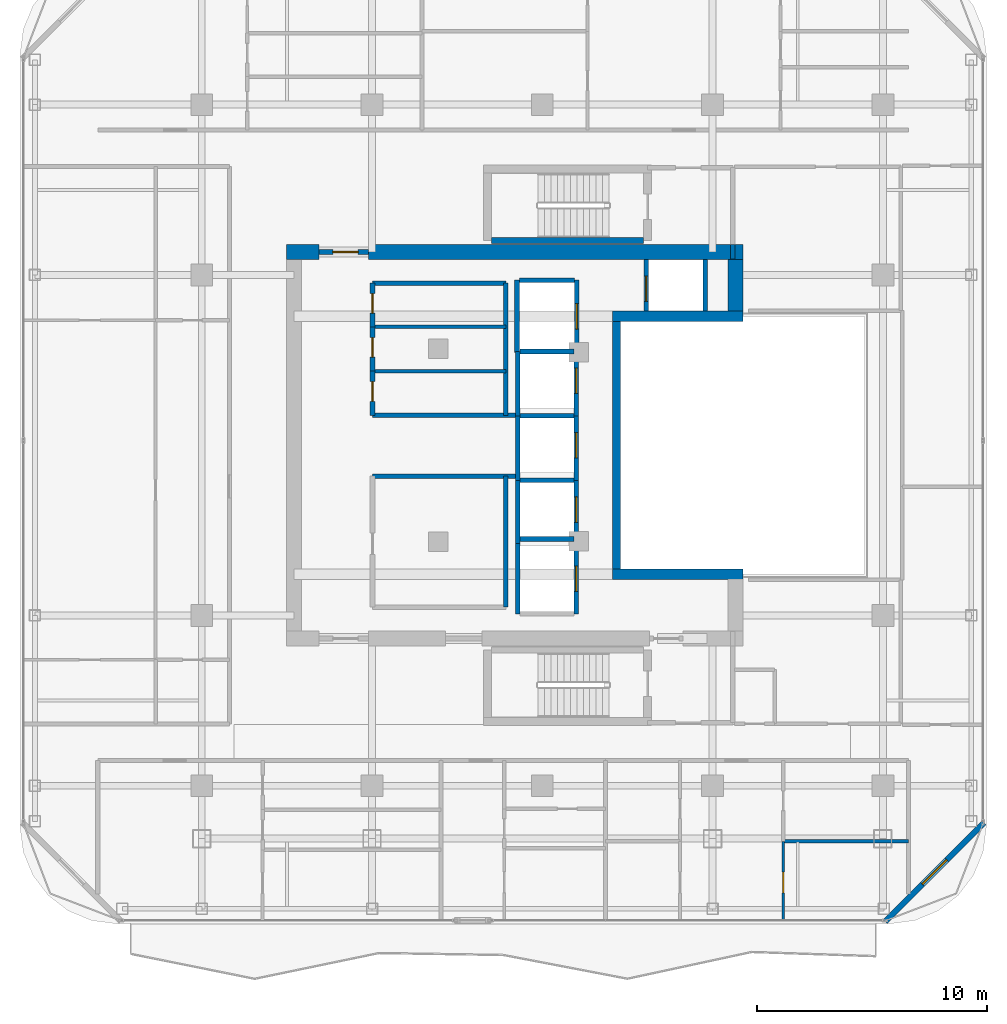
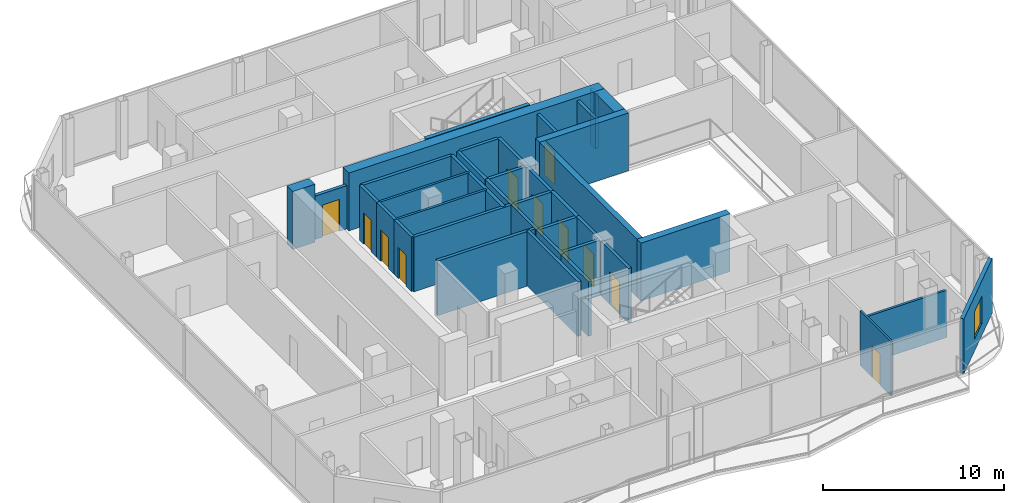
# One storey, part 17 of 22: 39 walls, 11 doors, 1 window, 12 openings.
"""IFC4 building model written with IfcOpenShell, lengths in metres."""

import ifcopenshell
import ifcopenshell.guid

model = None  # the IFC model being written
_history = None  # IfcOwnerHistory: only IFC2X3 demands one
_inside = {}  # id of a spatial element -> (the spatial element, [elements in it])
_under = {}  # id of a project, library or spatial element -> (it, [spatial elements below it])
_declared = {}  # id of a project -> (the project, [libraries it declares])
_typed = {}  # id of a type object -> (the type object, [elements of that type])
_made_of = {}  # id of a material, layer set ... -> (it, [elements and type objects made of it])


def new_model(schema):
    """Start an empty IFC model of exactly this schema.

    Asked for "IFC4X3", IfcOpenShell would pick the latest addendum, in which some entities
    have other attributes; the version numbers below select the first issue.
    IFC2X3 requires an IfcOwnerHistory on every rooted entity: one is made here for all.
    """
    global model, _history
    if schema == "IFC4X3":
        model = ifcopenshell.file(schema_version=(4, 3, 0, 0))
    else:
        model = ifcopenshell.file(schema=schema)
    _inside.clear()
    _under.clear()
    _declared.clear()
    _typed.clear()
    _made_of.clear()
    _history = None
    if model.schema == "IFC2X3":
        org = make("IfcOrganization", Name="unknown")
        user = make(
            "IfcPersonAndOrganization",
            ThePerson=make("IfcPerson", FamilyName="unknown"),
            TheOrganization=org,
        )
        app = make(
            "IfcApplication",
            ApplicationDeveloper=org,
            Version="unknown",
            ApplicationFullName="unknown",
            ApplicationIdentifier="unknown",
        )
        _history = make(
            "IfcOwnerHistory",
            OwningUser=user,
            OwningApplication=app,
            ChangeAction="ADDED",
            CreationDate=0,
        )
    return model


def make(cls, **values):
    """One entity of the class cls with the attributes given. An attribute that is None is left unset."""
    return model.create_entity(
        cls, **{name: value for name, value in values.items() if value is not None}
    )


def rooted(cls, **values):
    """An entity with a GlobalId (a new one), such as an element, a storey or a relation."""
    return make(cls, GlobalId=ifcopenshell.guid.new(), OwnerHistory=_history, **values)


def si_unit(unit_type, name, prefix=None):
    """IfcSIUnit, for example si_unit("LENGTHUNIT", "METRE", prefix="MILLI")."""
    return make("IfcSIUnit", UnitType=unit_type, Prefix=prefix, Name=name)


def assignment(units):
    """IfcUnitAssignment: the units of a project."""
    return None if units is None else make("IfcUnitAssignment", Units=units)


def point(xyz):
    """IfcCartesianPoint."""
    return None if xyz is None else make("IfcCartesianPoint", Coordinates=xyz)


def direction(xyz):
    """IfcDirection."""
    return None if xyz is None else make("IfcDirection", DirectionRatios=xyz)


def frame(location, z_axis=None, x_axis=None):
    """IfcAxis2Placement3D, a coordinate frame: its origin and axes. An axis left out is left unset."""
    return make(
        "IfcAxis2Placement3D",
        Location=point(location),
        Axis=direction(z_axis),
        RefDirection=direction(x_axis),
    )


def frame_2d(location, x_axis=None):
    """IfcAxis2Placement2D, a coordinate frame in the plane: its origin and x axis."""
    return make(
        "IfcAxis2Placement2D", Location=point(location), RefDirection=direction(x_axis)
    )


def origin():
    """The frame at (0, 0, 0) with its axes left unset."""
    return frame((0.0, 0.0, 0.0))


def place(relative_to, where):
    """IfcLocalPlacement: puts the frame where relative to a parent placement (None: the world)."""
    return make(
        "IfcLocalPlacement", PlacementRelTo=relative_to, RelativePlacement=where
    )


def context(
    kind, dimensions, precision=None, world=None, true_north=None, identifier=None
):
    """IfcGeometricRepresentationContext, for example the 3D "Model" context."""
    return make(
        "IfcGeometricRepresentationContext",
        ContextIdentifier=identifier,
        ContextType=kind,
        CoordinateSpaceDimension=dimensions,
        Precision=precision,
        WorldCoordinateSystem=world,
        TrueNorth=true_north,
    )


def subcontext(parent, identifier, kind, view, scale=None):
    """IfcGeometricRepresentationSubContext, for example "Body" below "Model"."""
    return make(
        "IfcGeometricRepresentationSubContext",
        ContextIdentifier=identifier,
        ContextType=kind,
        ParentContext=parent,
        TargetScale=scale,
        TargetView=view,
    )


def project(units=None, contexts=None):
    """IfcProject with its units and contexts."""
    return rooted(
        "IfcProject",
        Name="project",
        RepresentationContexts=contexts,
        UnitsInContext=assignment(units),
    )


def spatial(cls, under=None, at=None, **own):
    """A site, building, storey or space (cls), placed at a placement, below another one or the project."""
    s = rooted(cls, ObjectPlacement=at, **own)
    if under is not None:
        _under.setdefault(under.id(), (under, []))[1].append(s)
    return s


def profile(cls, at=None, kind="AREA", **sizes):
    """A parametric profile (cls). Its sizes go by their IFC names, for example OverallWidth=200.0."""
    return make(cls, ProfileType=kind, Position=at, **sizes)


def rectangle(**sizes):
    """IfcRectangleProfileDef."""
    return profile("IfcRectangleProfileDef", **sizes)


def extrude(swept, where, along, depth):
    """IfcExtrudedAreaSolid: the profile swept, set in the frame where, extruded along a direction by depth."""
    return make(
        "IfcExtrudedAreaSolid",
        SweptArea=swept,
        Position=where,
        ExtrudedDirection=direction(along),
        Depth=depth,
    )


def shape(context_of_items, identifier, shape_type, items):
    """IfcShapeRepresentation: the items that make up one representation, for example the "Body"."""
    return make(
        "IfcShapeRepresentation",
        ContextOfItems=context_of_items,
        RepresentationIdentifier=identifier,
        RepresentationType=shape_type,
        Items=items,
    )


def material(Name=None, Category=None):
    """IfcMaterial."""
    return make("IfcMaterial", Name=Name, Category=Category)


def layer(
    of_material, thickness, ventilated=None, Name=None, Category=None, Priority=None
):
    """IfcMaterialLayer: one layer of a wall or slab, of a material (None: an air gap)."""
    return make(
        "IfcMaterialLayer",
        Material=of_material,
        LayerThickness=thickness,
        IsVentilated=ventilated,
        Name=Name,
        Category=Category,
        Priority=Priority,
    )


def layer_set(layers, Name=None):
    """IfcMaterialLayerSet."""
    return make("IfcMaterialLayerSet", MaterialLayers=layers, LayerSetName=Name)


def made_of(thing, what):
    """Note that an element or type object is made of a material, layer set ...; save() writes the relation."""
    if what is not None:
        _made_of.setdefault(what.id(), (what, []))[1].append(thing)
    return thing


def type_object(cls, material=None, **own):
    """A type object (cls), such as IfcWallType, which elements share."""
    return made_of(rooted(cls, **own), material)


def element(
    cls,
    number,
    at=None,
    inside=None,
    cuts=None,
    type_object=None,
    material=None,
    context=None,
    identifier="Body",
    shape_type=None,
    held_by="IfcProductDefinitionShape",
    body=None,
    shapes=None,
    **own,
):
    """One element of the class cls, such as IfcWall. Its Tag is "e" and its number.

    at: its placement. inside: the storey or other place that contains it. cuts: it is an
    opening in that element (IfcRelVoidsElement). A single representation is given by context,
    identifier, shape_type and body (its items); several are given by shapes. held_by: the class
    of the entity that holds the representations. save() writes the other relations.
    """
    e = rooted(cls, Tag="e%d" % number, ObjectPlacement=at, **own)
    if body is not None:
        shapes = [shape(context, identifier, shape_type, body)]
    if shapes is not None:
        e.Representation = make(held_by, Representations=shapes)
    if inside is not None:
        _inside.setdefault(inside.id(), (inside, []))[1].append(e)
    if cuts is not None:
        rooted(
            "IfcRelVoidsElement", RelatingBuildingElement=cuts, RelatedOpeningElement=e
        )
    if type_object is not None:
        _typed.setdefault(type_object.id(), (type_object, []))[1].append(e)
    return made_of(e, material)


def fill(opening, filler):
    """IfcRelFillsElement: the door or window that sits in an opening."""
    return rooted(
        "IfcRelFillsElement",
        RelatingOpeningElement=opening,
        RelatedBuildingElement=filler,
    )


def aggregate(whole, parts):
    """IfcRelAggregates: a whole, such as a stair, and the parts it consists of."""
    return rooted("IfcRelAggregates", RelatingObject=whole, RelatedObjects=parts)


def save(model, path):
    """Write the relations noted so far, then the file.

    IfcRelAggregates (storeys below a building ...), IfcRelContainedInSpatialStructure (elements
    in a storey), IfcRelDefinesByType, IfcRelAssociatesMaterial and IfcRelDeclares: one each for
    every whole, place, type object, material and project.
    """
    for whole, parts in _under.values():
        aggregate(whole, parts)
    for where, things in _inside.values():
        rooted(
            "IfcRelContainedInSpatialStructure",
            RelatedElements=things,
            RelatingStructure=where,
        )
    for kind, things in _typed.values():
        rooted("IfcRelDefinesByType", RelatedObjects=things, RelatingType=kind)
    for what, things in _made_of.values():
        rooted("IfcRelAssociatesMaterial", RelatedObjects=things, RelatingMaterial=what)
    for by, libraries in _declared.values():
        rooted("IfcRelDeclares", RelatingContext=by, RelatedDefinitions=libraries)
    model.write(path)


model = new_model("IFC4")

# Units and contexts
model_context = context("Model", 3, precision=1e-05, world=origin(), true_north=direction((0.0, 1.0)))
body_context = subcontext(model_context, "Body", "Model", "MODEL_VIEW")
ifc_project = project(units=[si_unit("LENGTHUNIT", "METRE"), si_unit("AREAUNIT", "SQUARE_METRE"), si_unit("VOLUMEUNIT", "CUBIC_METRE"), si_unit("PLANEANGLEUNIT", "RADIAN"), si_unit("MASSUNIT", "GRAM", prefix="KILO")], contexts=[model_context])

# Site, building, storey
site_placement = place(None, origin())
site = spatial("IfcSite", under=ifc_project, at=site_placement, CompositionType="ELEMENT")
building_placement = place(site_placement, origin())
building = spatial("IfcBuilding", under=site, at=building_placement, Name="Khorvyn Point Tower", CompositionType="ELEMENT")
storey_placement = place(building_placement, frame((0.0, 0.0, 305.39990234375)))
storey = spatial("IfcBuildingStorey", under=building, at=storey_placement, Name="L75", CompositionType="ELEMENT", Elevation=305.39990234375)

# Wall, opening, window
ifc_material_1 = material(Name="Pale anodised aluminium rainscreen on steel stud", Category="steel")
ifc_layer_1 = layer(ifc_material_1, 0.239990234375)
ifc_layer_set_1 = layer_set([ifc_layer_1], Name="Anodised Aluminium Insulated Corner Spandrel Wall 240")
wall_type_1 = type_object("IfcWallType", Name="Anodised Aluminium Insulated Corner Spandrel Wall 240", PredefinedType="SOLIDWALL", material=ifc_layer_set_1)
wall_1_placement = place(storey_placement, frame((19.1923828125, -16.40771484375, 0.0), z_axis=(0.0, 0.0, 1.0), x_axis=(-0.707106781187, -0.707106781187, 0.0)))
wall_1 = element("IfcWall", 1, at=wall_1_placement, inside=storey, type_object=wall_type_1, Name="L75 Rounded Corner Wall SE", PredefinedType="SOLIDWALL", context=body_context, shape_type="SweptSolid", body=[
    extrude(rectangle(XDim=6.059326171875, YDim=0.239990234375, at=frame_2d((3.02978515625, 0.0))), origin(), (0.0, 0.0, 1.0), 3.68017578125),
])
opening_1_placement = place(wall_1_placement, frame((2.27978515625, 0.0, 0.800048828125)))
opening_1 = element("IfcOpeningElement", 2, at=opening_1_placement, cuts=wall_1, Name="Opening WN-1518", PredefinedType="OPENING", context=body_context, shape_type="SweptSolid", body=[
    extrude(rectangle(XDim=1.5, YDim=1.85009765625, at=frame_2d((0.75, 0.925048828125))), frame((0.0, 0.1298828125, 0.0), z_axis=(0.0, -1.0, 0.0), x_axis=(1.0, 0.0, 0.0)), (0.0, 0.0, 1.0), 0.260009765625),
])
ifc_material_2 = material(Name="Anodised aluminium 6063-T6 and laminated Low-E glass", Category="aluminium")
window_type = type_object("IfcWindowType", Name="Anodised Aluminium Rounded-Corner Panoramic Window 1500x1850", PartitioningType="SINGLE_PANEL", PredefinedType="WINDOW", material=ifc_material_2)
window_placement = place(opening_1_placement, origin())
window = element("IfcWindow", 3, at=window_placement, inside=storey, type_object=window_type, Name="L75 Corner Panoramic Window SE", OverallHeight=1.85009765625, OverallWidth=1.5, PartitioningType="SINGLE_PANEL", PredefinedType="WINDOW", context=body_context, shape_type="SweptSolid", body=[
    extrude(rectangle(XDim=1.5, YDim=1.85009765625, at=frame_2d((0.75, 0.925048828125))), frame((0.0, 0.030029296875, 0.0), z_axis=(0.0, -1.0, 0.0), x_axis=(1.0, 0.0, 0.0)), (0.0, 0.0, 1.0), 0.06005859375),
])
fill(opening_1, window)

# Walls
ifc_material_3 = material(Name="Concrete C40/50", Category="concrete")
ifc_layer_2 = layer(ifc_material_3, 0.449951171875)
ifc_layer_set_2 = layer_set([ifc_layer_2], Name="Concrete C40/50 Core Shear Wall 450")
wall_type_2 = type_object("IfcWallType", Name="Concrete C40/50 Core Shear Wall 450", PredefinedType="SHEAR", material=ifc_layer_set_2)
for number, where, z_axis, x_axis, name in (
    (4, (3.044921875, -5.60009765625, 0.0), (0.0, 0.0, 1.0), (1.0, 0.0, 0.0), "Wall"),
    (5, (3.044921875, 5.60009765625, 0.0), (0.0, 0.0, 1.0), (1.0, 0.0, 0.0), "Wall"),
):
    element("IfcWall", number, at=place(storey_placement, frame(where, z_axis=z_axis, x_axis=x_axis)), inside=storey, type_object=wall_type_2, Name=name, PredefinedType="SHEAR", context=body_context, shape_type="SweptSolid", body=[
        extrude(rectangle(XDim=5.68017578125, YDim=0.449951171875, at=frame_2d((2.840087890625, 0.0))), origin(), (0.0, 0.0, 1.0), 3.900146484375),
    ])
ifc_layer_3 = layer(ifc_material_3, 0.64990234375)
ifc_layer_set_3 = layer_set([ifc_layer_3], Name="Concrete C40/50 Core Shear Wall 650")
wall_type_3 = type_object("IfcWallType", Name="Concrete C40/50 Core Shear Wall 650", PredefinedType="SHEAR", material=ifc_layer_set_3)
wall_2_placement = place(storey_placement, frame((-11.125, 8.39990234375, 0.0), z_axis=(0.0, 0.0, 1.0), x_axis=(1.0, 0.0, 0.0)))
element("IfcWall", 6, at=wall_2_placement, inside=storey, type_object=wall_type_3, Name="Wall", PredefinedType="SHEAR", context=body_context, shape_type="SweptSolid", body=[
    extrude(rectangle(XDim=1.425048828125, YDim=0.64990234375, at=frame_2d((0.71240234375, 0.0))), origin(), (0.0, 0.0, 1.0), 3.900146484375),
])
wall_3_placement = place(storey_placement, frame((-7.550048828125, 8.39990234375, 0.0), z_axis=(0.0, 0.0, 1.0), x_axis=(1.0, 0.0, 0.0)))
element("IfcWall", 7, at=wall_3_placement, inside=storey, type_object=wall_type_3, Name="Wall", PredefinedType="SHEAR", context=body_context, shape_type="SweptSolid", body=[
    extrude(rectangle(XDim=16.275146484375, YDim=0.64990234375, at=frame_2d((8.1376953125, 0.0))), origin(), (0.0, 0.0, 1.0), 3.900146484375),
])
wall_4_placement = place(storey_placement, frame((8.39990234375, 5.824951171875, 0.0), z_axis=(0.0, 0.0, 1.0), x_axis=(0.0, 1.0, 0.0)))
element("IfcWall", 8, at=wall_4_placement, inside=storey, type_object=wall_type_3, Name="Wall", PredefinedType="SHEAR", context=body_context, shape_type="SweptSolid", body=[
    extrude(rectangle(XDim=2.25, YDim=0.64990234375, at=frame_2d((1.125, 0.0))), origin(), (0.0, 0.0, 1.0), 3.900146484375),
])

# Wall, opening, door
ifc_layer_4 = layer(ifc_material_3, 0.199951171875)
ifc_layer_set_4 = layer_set([ifc_layer_4], Name="Concrete C40/50 Fire-Lobby Compartment Wall 200")
wall_type_4 = type_object("IfcWallType", Name="Concrete C40/50 Fire-Lobby Compartment Wall 200", PredefinedType="SOLIDWALL", material=ifc_layer_set_4)
wall_5_placement = place(storey_placement, frame((-9.699951171875, 8.39990234375, 0.0), z_axis=(0.0, 0.0, 1.0), x_axis=(1.0, 0.0, 0.0)))
wall_5 = element("IfcWall", 9, at=wall_5_placement, inside=storey, type_object=wall_type_4, Name="Wall", PredefinedType="SOLIDWALL", context=body_context, shape_type="SweptSolid", body=[
    extrude(rectangle(XDim=2.14990234375, YDim=0.199951171875, at=frame_2d((1.074951171875, 0.0))), origin(), (0.0, 0.0, 1.0), 2.920166015625),
])
opening_2_placement = place(wall_5_placement, frame((0.597900390625, 0.0, 0.0)))
opening_2 = element("IfcOpeningElement", 10, at=opening_2_placement, cuts=wall_5, Name="Opening ID-FL90", PredefinedType="OPENING", context=body_context, shape_type="SweptSolid", body=[
    extrude(rectangle(XDim=1.10009765625, YDim=2.14990234375, at=frame_2d((0.550048828125, 1.074951171875))), frame((0.0, 0.10986328125, 0.0), z_axis=(0.0, -1.0, 0.0), x_axis=(1.0, 0.0, 0.0)), (0.0, 0.0, 1.0), 0.219970703125),
])
ifc_material_4 = material(Name="Galvanised powder-coated steel", Category="steel")
door_type_1 = type_object("IfcDoorType", Name="Fire-Rated Steel Lobby and Stair Door 1100x2150", OperationType="NOTDEFINED", PredefinedType="DOOR", material=ifc_material_4)
door_1_placement = place(opening_2_placement, origin())
door_1 = element("IfcDoor", 11, at=door_1_placement, inside=storey, type_object=door_type_1, Name="Door", OperationType="SINGLE_SWING_RIGHT", OverallHeight=2.14990234375, OverallWidth=1.10009765625, PredefinedType="DOOR", context=body_context, shape_type="SweptSolid", body=[
    extrude(rectangle(XDim=1.10009765625, YDim=2.14990234375, at=frame_2d((0.550048828125, 1.074951171875))), frame((0.0, 0.02490234375, 0.0), z_axis=(0.0, -1.0, 0.0), x_axis=(1.0, 0.0, 0.0)), (0.0, 0.0, 1.0), 0.050048828125),
])
fill(opening_2, door_1)

wall_6_placement = place(storey_placement, frame((-7.3798828125, 1.300048828125, 0.0), z_axis=(0.0, 0.0, 1.0), x_axis=(0.0, 1.0, 0.0)))
wall_6 = element("IfcWall", 12, at=wall_6_placement, inside=storey, type_object=wall_type_4, Name="Wall", PredefinedType="SOLIDWALL", context=body_context, shape_type="SweptSolid", body=[
    extrude(rectangle(XDim=1.919921875, YDim=0.199951171875, at=frame_2d((0.9599609375, 0.0))), origin(), (0.0, 0.0, 1.0), 3.68017578125),
])
opening_3_placement = place(wall_6_placement, frame((0.610107421875, 0.0, 0.0)))
opening_3 = element("IfcOpeningElement", 13, at=opening_3_placement, cuts=wall_6, Name="Opening ID-WC85", PredefinedType="OPENING", context=body_context, shape_type="SweptSolid", body=[
    extrude(rectangle(XDim=0.85009765625, YDim=2.10009765625, at=frame_2d((0.425048828125, 1.050048828125))), frame((0.0, 0.10986328125, 0.0), z_axis=(0.0, -1.0, 0.0), x_axis=(1.0, 0.0, 0.0)), (0.0, 0.0, 1.0), 0.219970703125),
])
ifc_material_5 = material(Name="High-pressure laminate on moisture-resistant core", Category="wood")
door_type_2 = type_object("IfcDoorType", Name="Moisture-Resistant Accessible Washroom Door 850x2100", OperationType="NOTDEFINED", PredefinedType="DOOR", material=ifc_material_5)
door_2_placement = place(opening_3_placement, origin())
door_2 = element("IfcDoor", 14, at=door_2_placement, inside=storey, type_object=door_type_2, Name="Door", OperationType="SINGLE_SWING_RIGHT", OverallHeight=2.10009765625, OverallWidth=0.85009765625, PredefinedType="DOOR", context=body_context, shape_type="SweptSolid", body=[
    extrude(rectangle(XDim=0.85009765625, YDim=2.10009765625, at=frame_2d((0.425048828125, 1.050048828125))), frame((0.0, 0.02490234375, 0.0), z_axis=(0.0, -1.0, 0.0), x_axis=(1.0, 0.0, 0.0)), (0.0, 0.0, 1.0), 0.050048828125),
])
fill(opening_3, door_2)

wall_7_placement = place(storey_placement, frame((-7.3798828125, 3.219970703125, 0.0), z_axis=(0.0, 0.0, 1.0), x_axis=(0.0, 1.0, 0.0)))
wall_7 = element("IfcWall", 15, at=wall_7_placement, inside=storey, type_object=wall_type_4, Name="Wall", PredefinedType="SOLIDWALL", context=body_context, shape_type="SweptSolid", body=[
    extrude(rectangle(XDim=1.919921875, YDim=0.199951171875, at=frame_2d((0.9599609375, 0.0))), origin(), (0.0, 0.0, 1.0), 3.68017578125),
])
opening_4_placement = place(wall_7_placement, frame((0.610107421875, 0.0, 0.0)))
opening_4 = element("IfcOpeningElement", 16, at=opening_4_placement, cuts=wall_7, Name="Opening ID-WC85", PredefinedType="OPENING", context=body_context, shape_type="SweptSolid", body=[
    extrude(rectangle(XDim=0.85009765625, YDim=2.10009765625, at=frame_2d((0.425048828125, 1.050048828125))), frame((0.0, 0.10986328125, 0.0), z_axis=(0.0, -1.0, 0.0), x_axis=(1.0, 0.0, 0.0)), (0.0, 0.0, 1.0), 0.219970703125),
])
door_3_placement = place(opening_4_placement, origin())
door_3 = element("IfcDoor", 17, at=door_3_placement, inside=storey, type_object=door_type_2, Name="Door", OperationType="SINGLE_SWING_LEFT", OverallHeight=2.10009765625, OverallWidth=0.85009765625, PredefinedType="DOOR", context=body_context, shape_type="SweptSolid", body=[
    extrude(rectangle(XDim=0.85009765625, YDim=2.10009765625, at=frame_2d((0.425048828125, 1.050048828125))), frame((0.0, 0.02490234375, 0.0), z_axis=(0.0, -1.0, 0.0), x_axis=(1.0, 0.0, 0.0)), (0.0, 0.0, 1.0), 0.050048828125),
])
fill(opening_4, door_3)

wall_8_placement = place(storey_placement, frame((-7.3798828125, 5.139892578125, 0.0), z_axis=(0.0, 0.0, 1.0), x_axis=(0.0, 1.0, 0.0)))
wall_8 = element("IfcWall", 18, at=wall_8_placement, inside=storey, type_object=wall_type_4, Name="Wall", PredefinedType="SOLIDWALL", context=body_context, shape_type="SweptSolid", body=[
    extrude(rectangle(XDim=1.900146484375, YDim=0.199951171875, at=frame_2d((0.9501953125, 0.0))), origin(), (0.0, 0.0, 1.0), 3.68017578125),
])
opening_5_placement = place(wall_8_placement, frame((0.597900390625, 0.0, 0.0)))
opening_5 = element("IfcOpeningElement", 19, at=opening_5_placement, cuts=wall_8, Name="Opening ID-WC85", PredefinedType="OPENING", context=body_context, shape_type="SweptSolid", body=[
    extrude(rectangle(XDim=0.85009765625, YDim=2.10009765625, at=frame_2d((0.425048828125, 1.050048828125))), frame((0.0, 0.10986328125, 0.0), z_axis=(0.0, -1.0, 0.0), x_axis=(1.0, 0.0, 0.0)), (0.0, 0.0, 1.0), 0.219970703125),
])
door_4_placement = place(opening_5_placement, origin())
door_4 = element("IfcDoor", 20, at=door_4_placement, inside=storey, type_object=door_type_2, Name="Door", OperationType="SINGLE_SWING_RIGHT", OverallHeight=2.10009765625, OverallWidth=0.85009765625, PredefinedType="DOOR", context=body_context, shape_type="SweptSolid", body=[
    extrude(rectangle(XDim=0.85009765625, YDim=2.10009765625, at=frame_2d((0.425048828125, 1.050048828125))), frame((0.0, 0.02490234375, 0.0), z_axis=(0.0, -1.0, 0.0), x_axis=(1.0, 0.0, 0.0)), (0.0, 0.0, 1.0), 0.050048828125),
])
fill(opening_5, door_4)

# Walls
for number, where, z_axis, x_axis, name in (
    (21, (-7.3798828125, -1.340087890625, 0.0), (0.0, 0.0, 1.0), (1.0, 0.0, 0.0), "Wall"),
    (22, (-7.3798828125, 1.300048828125, 0.0), (0.0, 0.0, 1.0), (1.0, 0.0, 0.0), "Wall"),
):
    element("IfcWall", number, at=place(storey_placement, frame(where, z_axis=z_axis, x_axis=x_axis)), inside=storey, type_object=wall_type_4, Name=name, PredefinedType="SOLIDWALL", context=body_context, shape_type="SweptSolid", body=[
        extrude(rectangle(XDim=6.239990234375, YDim=0.199951171875, at=frame_2d((3.1201171875, 0.0))), origin(), (0.0, 0.0, 1.0), 3.68017578125),
    ])
wall_9_placement = place(storey_placement, frame((-1.580078125, -7.0400390625, 0.0), z_axis=(0.0, 0.0, 1.0), x_axis=(0.0, 1.0, 0.0)))
element("IfcWall", 23, at=wall_9_placement, inside=storey, type_object=wall_type_4, Name="Wall", PredefinedType="SOLIDWALL", context=body_context, shape_type="SweptSolid", body=[
    extrude(rectangle(XDim=5.699951171875, YDim=0.199951171875, at=frame_2d((2.85009765625, 0.0))), origin(), (0.0, 0.0, 1.0), 3.68017578125),
])
wall_10_placement = place(storey_placement, frame((-1.580078125, 1.300048828125, 0.0), z_axis=(0.0, 0.0, 1.0), x_axis=(0.0, 1.0, 0.0)))
element("IfcWall", 24, at=wall_10_placement, inside=storey, type_object=wall_type_4, Name="Wall", PredefinedType="SOLIDWALL", context=body_context, shape_type="SweptSolid", body=[
    extrude(rectangle(XDim=5.739990234375, YDim=0.199951171875, at=frame_2d((2.8701171875, 0.0))), origin(), (0.0, 0.0, 1.0), 3.68017578125),
])
wall_11_placement = place(storey_placement, frame((-7.3798828125, 7.0400390625, 0.0), z_axis=(0.0, 0.0, 1.0), x_axis=(1.0, 0.0, 0.0)))
element("IfcWall", 25, at=wall_11_placement, inside=storey, type_object=wall_type_4, Name="Wall", PredefinedType="SOLIDWALL", context=body_context, shape_type="SweptSolid", body=[
    extrude(rectangle(XDim=5.7998046875, YDim=0.199951171875, at=frame_2d((2.89990234375, 0.0))), origin(), (0.0, 0.0, 1.0), 3.68017578125),
])
wall_12_placement = place(storey_placement, frame((8.280029296875, 8.10009765625, 0.0), z_axis=(0.0, 0.0, 1.0), x_axis=(0.0, 1.0, 0.0)))
element("IfcWall", 26, at=wall_12_placement, inside=storey, type_object=wall_type_4, Name="Wall", PredefinedType="SOLIDWALL", context=body_context, shape_type="SweptSolid", body=[
    extrude(rectangle(XDim=0.625, YDim=0.199951171875, at=frame_2d((0.3125, 0.0))), origin(), (0.0, 0.0, 1.0), 3.68017578125),
])
ifc_layer_5 = layer(ifc_material_3, 0.25)
ifc_layer_set_5 = layer_set([ifc_layer_5], Name="Concrete C40/50 Stair Inner Cheek Structural Wall 250")
wall_type_5 = type_object("IfcWallType", Name="Concrete C40/50 Stair Inner Cheek Structural Wall 250", PredefinedType="SHEAR", material=ifc_layer_set_5)
wall_13_placement = place(storey_placement, frame((-2.199951171875, 8.89990234375, 0.0), z_axis=(0.0, 0.0, 1.0), x_axis=(1.0, 0.0, 0.0)))
element("IfcWall", 27, at=wall_13_placement, inside=storey, type_object=wall_type_5, Name="Wall", PredefinedType="SHEAR", context=body_context, shape_type="SweptSolid", body=[
    extrude(rectangle(XDim=6.599853515625, YDim=0.25, at=frame_2d((3.2998046875, 0.0))), origin(), (0.0, 0.0, 1.0), 3.900146484375),
])
ifc_layer_6 = layer(ifc_material_3, 0.35009765625)
ifc_layer_set_6 = layer_set([ifc_layer_6], Name="Concrete C40/50 Stair Shaft Structural Wall 350")
wall_type_6 = type_object("IfcWallType", Name="Concrete C40/50 Stair Shaft Structural Wall 350", PredefinedType="SHEAR", material=ifc_layer_set_6)
wall_14_placement = place(storey_placement, frame((3.219970703125, -5.375, 0.0), z_axis=(0.0, 0.0, 1.0), x_axis=(0.0, 1.0, 0.0)))
element("IfcWall", 28, at=wall_14_placement, inside=storey, type_object=wall_type_6, Name="Wall", PredefinedType="SHEAR", context=body_context, shape_type="SweptSolid", body=[
    extrude(rectangle(XDim=10.75, YDim=0.35009765625, at=frame_2d((5.375, 0.0))), origin(), (0.0, 0.0, 1.0), 3.900146484375),
])
ifc_layer_7 = layer(ifc_material_3, 0.199951171875)
ifc_layer_set_7 = layer_set([ifc_layer_7], Name="Concrete C40/50 Structural Hoistway and Stair Shaft Wall 200")
wall_type_7 = type_object("IfcWallType", Name="Concrete C40/50 Structural Hoistway and Stair Shaft Wall 200", PredefinedType="SHEAR", material=ifc_layer_set_7)
wall_15_placement = place(storey_placement, frame((-1.074951171875, -4.27490234375, 0.0), z_axis=(0.0, 0.0, 1.0), x_axis=(0.0, 1.0, 0.0)))
element("IfcWall", 29, at=wall_15_placement, inside=storey, type_object=wall_type_7, Name="Wall", PredefinedType="SHEAR", context=body_context, shape_type="SweptSolid", body=[
    extrude(rectangle(XDim=2.75, YDim=0.199951171875, at=frame_2d((1.375, 0.0))), origin(), (0.0, 0.0, 1.0), 3.68017578125),
])

# Wall, opening, door
wall_16_placement = place(storey_placement, frame((1.47509765625, -4.27490234375, 0.0), z_axis=(0.0, 0.0, 1.0), x_axis=(0.0, 1.0, 0.0)))
wall_16 = element("IfcWall", 30, at=wall_16_placement, inside=storey, type_object=wall_type_7, Name="Wall", PredefinedType="SHEAR", context=body_context, shape_type="SweptSolid", body=[
    extrude(rectangle(XDim=2.75, YDim=0.199951171875, at=frame_2d((1.375, 0.0))), origin(), (0.0, 0.0, 1.0), 3.68017578125),
])
opening_6_placement = place(wall_16_placement, frame((0.925048828125, 0.0, 0.0)))
opening_6 = element("IfcOpeningElement", 31, at=opening_6_placement, cuts=wall_16, Name="Opening LD-1122", PredefinedType="OPENING", context=body_context, shape_type="SweptSolid", body=[
    extrude(rectangle(XDim=1.10009765625, YDim=2.199951171875, at=frame_2d((0.550048828125, 1.10009765625))), frame((0.0, 0.10986328125, 0.0), z_axis=(0.0, -1.0, 0.0), x_axis=(1.0, 0.0, 0.0)), (0.0, 0.0, 1.0), 0.219970703125),
])
ifc_material_6 = material(Name="Stainless steel 1.4301", Category="steel")
door_type_3 = type_object("IfcDoorType", Name="Stainless Steel Automatic Sliding Lift Landing Door 1100x2200", OperationType="SLIDING_TO_LEFT", PredefinedType="DOOR", material=ifc_material_6)
door_5_placement = place(opening_6_placement, origin())
door_5 = element("IfcDoor", 32, at=door_5_placement, inside=storey, type_object=door_type_3, Name="L75 RH-01 Sliding Lift Landing Door", OperationType="SLIDING_TO_LEFT", OverallHeight=2.199951171875, OverallWidth=1.10009765625, PredefinedType="DOOR", context=body_context, shape_type="SweptSolid", body=[
    extrude(rectangle(XDim=1.10009765625, YDim=2.199951171875, at=frame_2d((0.550048828125, 1.10009765625))), frame((0.0, 0.02490234375, 0.0), z_axis=(0.0, -1.0, 0.0), x_axis=(1.0, 0.0, 0.0)), (0.0, 0.0, 1.0), 0.050048828125),
])
fill(opening_6, door_5)

# Walls
for number, where, z_axis, x_axis, name in (
    (33, (-0.97509765625, -4.074951171875, 0.0), (0.0, 0.0, 1.0), (1.0, 0.0, 0.0), "Wall"),
    (34, (-0.97509765625, -1.52490234375, 0.0), (0.0, 0.0, 1.0), (1.0, 0.0, 0.0), "Wall"),
):
    element("IfcWall", number, at=place(storey_placement, frame(where, z_axis=z_axis, x_axis=x_axis)), inside=storey, type_object=wall_type_7, Name=name, PredefinedType="SHEAR", context=body_context, shape_type="SweptSolid", body=[
        extrude(rectangle(XDim=2.35009765625, YDim=0.199951171875, at=frame_2d((1.175048828125, 0.0))), origin(), (0.0, 0.0, 1.0), 3.68017578125),
    ])
wall_17_placement = place(storey_placement, frame((-1.074951171875, -1.52490234375, 0.0), z_axis=(0.0, 0.0, 1.0), x_axis=(0.0, 1.0, 0.0)))
element("IfcWall", 35, at=wall_17_placement, inside=storey, type_object=wall_type_7, Name="Wall", PredefinedType="SHEAR", context=body_context, shape_type="SweptSolid", body=[
    extrude(rectangle(XDim=2.7998046875, YDim=0.199951171875, at=frame_2d((1.39990234375, 0.0))), origin(), (0.0, 0.0, 1.0), 3.68017578125),
])

# Wall, opening, door
wall_18_placement = place(storey_placement, frame((1.47509765625, -1.52490234375, 0.0), z_axis=(0.0, 0.0, 1.0), x_axis=(0.0, 1.0, 0.0)))
wall_18 = element("IfcWall", 36, at=wall_18_placement, inside=storey, type_object=wall_type_7, Name="Wall", PredefinedType="SHEAR", context=body_context, shape_type="SweptSolid", body=[
    extrude(rectangle(XDim=2.7998046875, YDim=0.199951171875, at=frame_2d((1.39990234375, 0.0))), origin(), (0.0, 0.0, 1.0), 3.68017578125),
])
opening_7_placement = place(wall_18_placement, frame((0.97509765625, 0.0, 0.0)))
opening_7 = element("IfcOpeningElement", 37, at=opening_7_placement, cuts=wall_18, Name="Opening LD-1122", PredefinedType="OPENING", context=body_context, shape_type="SweptSolid", body=[
    extrude(rectangle(XDim=1.10009765625, YDim=2.199951171875, at=frame_2d((0.550048828125, 1.10009765625))), frame((0.0, 0.10986328125, 0.0), z_axis=(0.0, -1.0, 0.0), x_axis=(1.0, 0.0, 0.0)), (0.0, 0.0, 1.0), 0.219970703125),
])
door_6_placement = place(opening_7_placement, origin())
door_6 = element("IfcDoor", 38, at=door_6_placement, inside=storey, type_object=door_type_3, Name="L75 RH-02 Sliding Lift Landing Door", OperationType="SLIDING_TO_LEFT", OverallHeight=2.199951171875, OverallWidth=1.10009765625, PredefinedType="DOOR", context=body_context, shape_type="SweptSolid", body=[
    extrude(rectangle(XDim=1.10009765625, YDim=2.199951171875, at=frame_2d((0.550048828125, 1.10009765625))), frame((0.0, 0.02490234375, 0.0), z_axis=(0.0, -1.0, 0.0), x_axis=(1.0, 0.0, 0.0)), (0.0, 0.0, 1.0), 0.050048828125),
])
fill(opening_7, door_6)

# Walls
wall_19_placement = place(storey_placement, frame((-0.97509765625, 1.27490234375, 0.0), z_axis=(0.0, 0.0, 1.0), x_axis=(1.0, 0.0, 0.0)))
element("IfcWall", 39, at=wall_19_placement, inside=storey, type_object=wall_type_7, Name="Wall", PredefinedType="SHEAR", context=body_context, shape_type="SweptSolid", body=[
    extrude(rectangle(XDim=2.35009765625, YDim=0.199951171875, at=frame_2d((1.175048828125, 0.0))), origin(), (0.0, 0.0, 1.0), 3.68017578125),
])
wall_20_placement = place(storey_placement, frame((-1.074951171875, 1.27490234375, 0.0), z_axis=(0.0, 0.0, 1.0), x_axis=(0.0, 1.0, 0.0)))
element("IfcWall", 40, at=wall_20_placement, inside=storey, type_object=wall_type_7, Name="Wall", PredefinedType="SHEAR", context=body_context, shape_type="SweptSolid", body=[
    extrude(rectangle(XDim=2.800048828125, YDim=0.199951171875, at=frame_2d((1.39990234375, 0.0))), origin(), (0.0, 0.0, 1.0), 3.68017578125),
])

# Wall, opening, door
wall_21_placement = place(storey_placement, frame((1.47509765625, 1.27490234375, 0.0), z_axis=(0.0, 0.0, 1.0), x_axis=(0.0, 1.0, 0.0)))
wall_21 = element("IfcWall", 41, at=wall_21_placement, inside=storey, type_object=wall_type_7, Name="Wall", PredefinedType="SHEAR", context=body_context, shape_type="SweptSolid", body=[
    extrude(rectangle(XDim=2.800048828125, YDim=0.199951171875, at=frame_2d((1.39990234375, 0.0))), origin(), (0.0, 0.0, 1.0), 3.68017578125),
])
opening_8_placement = place(wall_21_placement, frame((0.97509765625, 0.0, 0.0)))
opening_8 = element("IfcOpeningElement", 42, at=opening_8_placement, cuts=wall_21, Name="Opening LD-1122", PredefinedType="OPENING", context=body_context, shape_type="SweptSolid", body=[
    extrude(rectangle(XDim=1.10009765625, YDim=2.199951171875, at=frame_2d((0.550048828125, 1.10009765625))), frame((0.0, 0.10986328125, 0.0), z_axis=(0.0, -1.0, 0.0), x_axis=(1.0, 0.0, 0.0)), (0.0, 0.0, 1.0), 0.219970703125),
])
door_7_placement = place(opening_8_placement, origin())
door_7 = element("IfcDoor", 43, at=door_7_placement, inside=storey, type_object=door_type_3, Name="L75 RH-03 Sliding Lift Landing Door", OperationType="SLIDING_TO_LEFT", OverallHeight=2.199951171875, OverallWidth=1.10009765625, PredefinedType="DOOR", context=body_context, shape_type="SweptSolid", body=[
    extrude(rectangle(XDim=1.10009765625, YDim=2.199951171875, at=frame_2d((0.550048828125, 1.10009765625))), frame((0.0, 0.02490234375, 0.0), z_axis=(0.0, -1.0, 0.0), x_axis=(1.0, 0.0, 0.0)), (0.0, 0.0, 1.0), 0.050048828125),
])
fill(opening_8, door_7)

# Walls
wall_22_placement = place(storey_placement, frame((-0.97509765625, 4.074951171875, 0.0), z_axis=(0.0, 0.0, 1.0), x_axis=(1.0, 0.0, 0.0)))
element("IfcWall", 44, at=wall_22_placement, inside=storey, type_object=wall_type_7, Name="Wall", PredefinedType="SHEAR", context=body_context, shape_type="SweptSolid", body=[
    extrude(rectangle(XDim=2.35009765625, YDim=0.199951171875, at=frame_2d((1.175048828125, 0.0))), origin(), (0.0, 0.0, 1.0), 3.68017578125),
])
wall_23_placement = place(storey_placement, frame((-1.10009765625, 4.02490234375, 0.0), z_axis=(0.0, 0.0, 1.0), x_axis=(0.0, 1.0, 0.0)))
element("IfcWall", 45, at=wall_23_placement, inside=storey, type_object=wall_type_7, Name="Wall", PredefinedType="SHEAR", context=body_context, shape_type="SweptSolid", body=[
    extrude(rectangle(XDim=3.150146484375, YDim=0.199951171875, at=frame_2d((1.5751953125, 0.0))), origin(), (0.0, 0.0, 1.0), 3.68017578125),
])

# Wall, opening, door
wall_24_placement = place(storey_placement, frame((1.5, 4.02490234375, 0.0), z_axis=(0.0, 0.0, 1.0), x_axis=(0.0, 1.0, 0.0)))
wall_24 = element("IfcWall", 46, at=wall_24_placement, inside=storey, type_object=wall_type_7, Name="Wall", PredefinedType="SHEAR", context=body_context, shape_type="SweptSolid", body=[
    extrude(rectangle(XDim=3.150146484375, YDim=0.199951171875, at=frame_2d((1.5751953125, 0.0))), origin(), (0.0, 0.0, 1.0), 3.68017578125),
])
opening_9_placement = place(wall_24_placement, frame((1.02490234375, 0.0, 0.0)))
opening_9 = element("IfcOpeningElement", 47, at=opening_9_placement, cuts=wall_24, Name="Opening LD-1122", PredefinedType="OPENING", context=body_context, shape_type="SweptSolid", body=[
    extrude(rectangle(XDim=1.10009765625, YDim=2.199951171875, at=frame_2d((0.550048828125, 1.10009765625))), frame((0.0, 0.10986328125, 0.0), z_axis=(0.0, -1.0, 0.0), x_axis=(1.0, 0.0, 0.0)), (0.0, 0.0, 1.0), 0.219970703125),
])
door_8_placement = place(opening_9_placement, origin())
door_8 = element("IfcDoor", 48, at=door_8_placement, inside=storey, type_object=door_type_3, Name="L75 SV-01 Sliding Lift Landing Door", OperationType="SLIDING_TO_LEFT", OverallHeight=2.199951171875, OverallWidth=1.10009765625, PredefinedType="DOOR", context=body_context, shape_type="SweptSolid", body=[
    extrude(rectangle(XDim=1.10009765625, YDim=2.199951171875, at=frame_2d((0.550048828125, 1.10009765625))), frame((0.0, 0.02490234375, 0.0), z_axis=(0.0, -1.0, 0.0), x_axis=(1.0, 0.0, 0.0)), (0.0, 0.0, 1.0), 0.050048828125),
])
fill(opening_9, door_8)

# Walls
wall_25_placement = place(storey_placement, frame((-1.0, 7.175048828125, 0.0), z_axis=(0.0, 0.0, 1.0), x_axis=(1.0, 0.0, 0.0)))
element("IfcWall", 49, at=wall_25_placement, inside=storey, type_object=wall_type_7, Name="Wall", PredefinedType="SHEAR", context=body_context, shape_type="SweptSolid", body=[
    extrude(rectangle(XDim=2.39990234375, YDim=0.199951171875, at=frame_2d((1.199951171875, 0.0))), origin(), (0.0, 0.0, 1.0), 3.68017578125),
])
wall_26_placement = place(storey_placement, frame((-1.074951171875, -7.324951171875, 0.0), z_axis=(0.0, 0.0, 1.0), x_axis=(0.0, 1.0, 0.0)))
element("IfcWall", 50, at=wall_26_placement, inside=storey, type_object=wall_type_7, Name="Wall", PredefinedType="SHEAR", context=body_context, shape_type="SweptSolid", body=[
    extrude(rectangle(XDim=3.050048828125, YDim=0.199951171875, at=frame_2d((1.52490234375, 0.0))), origin(), (0.0, 0.0, 1.0), 3.68017578125),
])

# Wall, opening, door
wall_27_placement = place(storey_placement, frame((1.47509765625, -7.324951171875, 0.0), z_axis=(0.0, 0.0, 1.0), x_axis=(0.0, 1.0, 0.0)))
wall_27 = element("IfcWall", 51, at=wall_27_placement, inside=storey, type_object=wall_type_7, Name="Wall", PredefinedType="SHEAR", context=body_context, shape_type="SweptSolid", body=[
    extrude(rectangle(XDim=3.050048828125, YDim=0.199951171875, at=frame_2d((1.52490234375, 0.0))), origin(), (0.0, 0.0, 1.0), 3.68017578125),
])
opening_10_placement = place(wall_27_placement, frame((0.97509765625, 0.0, 0.0)))
opening_10 = element("IfcOpeningElement", 52, at=opening_10_placement, cuts=wall_27, Name="Opening LD-1122", PredefinedType="OPENING", context=body_context, shape_type="SweptSolid", body=[
    extrude(rectangle(XDim=1.10009765625, YDim=2.199951171875, at=frame_2d((0.550048828125, 1.10009765625))), frame((0.0, 0.10986328125, 0.0), z_axis=(0.0, -1.0, 0.0), x_axis=(1.0, 0.0, 0.0)), (0.0, 0.0, 1.0), 0.219970703125),
])
door_9_placement = place(opening_10_placement, origin())
door_9 = element("IfcDoor", 53, at=door_9_placement, inside=storey, type_object=door_type_3, Name="L75 FF-01 Sliding Lift Landing Door", OperationType="SLIDING_TO_LEFT", OverallHeight=2.199951171875, OverallWidth=1.10009765625, PredefinedType="DOOR", context=body_context, shape_type="SweptSolid", body=[
    extrude(rectangle(XDim=1.10009765625, YDim=2.199951171875, at=frame_2d((0.550048828125, 1.10009765625))), frame((0.0, 0.02490234375, 0.0), z_axis=(0.0, -1.0, 0.0), x_axis=(1.0, 0.0, 0.0)), (0.0, 0.0, 1.0), 0.050048828125),
])
fill(opening_10, door_9)

wall_28_placement = place(storey_placement, frame((4.52490234375, 5.824951171875, 0.0), z_axis=(0.0, 0.0, 1.0), x_axis=(0.0, 1.0, 0.0)))
wall_28 = element("IfcWall", 54, at=wall_28_placement, inside=storey, type_object=wall_type_7, Name="Wall", PredefinedType="SHEAR", context=body_context, shape_type="SweptSolid", body=[
    extrude(rectangle(XDim=2.25, YDim=0.199951171875, at=frame_2d((1.125, 0.0))), origin(), (0.0, 0.0, 1.0), 3.68017578125),
])
opening_11_placement = place(wall_28_placement, frame((0.425048828125, 0.0, 0.0)))
opening_11 = element("IfcOpeningElement", 55, at=opening_11_placement, cuts=wall_28, Name="Opening LD-1122", PredefinedType="OPENING", context=body_context, shape_type="SweptSolid", body=[
    extrude(rectangle(XDim=1.10009765625, YDim=2.199951171875, at=frame_2d((0.550048828125, 1.10009765625))), frame((0.0, 0.10986328125, 0.0), z_axis=(0.0, -1.0, 0.0), x_axis=(1.0, 0.0, 0.0)), (0.0, 0.0, 1.0), 0.219970703125),
])
door_10_placement = place(opening_11_placement, origin())
door_10 = element("IfcDoor", 56, at=door_10_placement, inside=storey, type_object=door_type_3, Name="L75 FF-02 Sliding Lift Landing Door", OperationType="SLIDING_TO_LEFT", OverallHeight=2.199951171875, OverallWidth=1.10009765625, PredefinedType="DOOR", context=body_context, shape_type="SweptSolid", body=[
    extrude(rectangle(XDim=1.10009765625, YDim=2.199951171875, at=frame_2d((0.550048828125, 1.10009765625))), frame((0.0, 0.02490234375, 0.0), z_axis=(0.0, -1.0, 0.0), x_axis=(1.0, 0.0, 0.0)), (0.0, 0.0, 1.0), 0.050048828125),
])
fill(opening_11, door_10)

# Wall
wall_29_placement = place(storey_placement, frame((7.074951171875, 5.824951171875, 0.0), z_axis=(0.0, 0.0, 1.0), x_axis=(0.0, 1.0, 0.0)))
element("IfcWall", 57, at=wall_29_placement, inside=storey, type_object=wall_type_7, Name="Wall", PredefinedType="SHEAR", context=body_context, shape_type="SweptSolid", body=[
    extrude(rectangle(XDim=2.25, YDim=0.199951171875, at=frame_2d((1.125, 0.0))), origin(), (0.0, 0.0, 1.0), 3.68017578125),
])

# Wall, opening, door
ifc_material_7 = material(Name="Gypsum plasterboard on steel stud", Category="steel")
ifc_layer_8 = layer(ifc_material_7, 0.1201171875)
ifc_layer_set_8 = layer_set([ifc_layer_8], Name="Gypsum Acoustic Stud Room Partition Wall 120")
wall_type_8 = type_object("IfcWallType", Name="Gypsum Acoustic Stud Room Partition Wall 120", PredefinedType="PARTITIONING", material=ifc_layer_set_8)
wall_30_placement = place(storey_placement, frame((10.469970703125, -20.6298828125, 0.0), z_axis=(0.0, 0.0, 1.0), x_axis=(0.0, 1.0, 0.0)))
wall_30 = element("IfcWall", 58, at=wall_30_placement, inside=storey, type_object=wall_type_8, Name="Wall", PredefinedType="PARTITIONING", context=body_context, shape_type="SweptSolid", body=[
    extrude(rectangle(XDim=3.410888671875, YDim=0.1201171875, at=frame_2d((1.70556640625, 0.0))), origin(), (0.0, 0.0, 1.0), 3.68017578125),
])
opening_12_placement = place(wall_30_placement, frame((1.171142578125, 0.0, 0.0)))
opening_12 = element("IfcOpeningElement", 59, at=opening_12_placement, cuts=wall_30, Name="Opening ID-RM90", PredefinedType="OPENING", context=body_context, shape_type="SweptSolid", body=[
    extrude(rectangle(XDim=0.89990234375, YDim=2.10009765625, at=frame_2d((0.449951171875, 1.050048828125))), frame((0.0, 0.070068359375, 0.0), z_axis=(0.0, -1.0, 0.0), x_axis=(1.0, 0.0, 0.0)), (0.0, 0.0, 1.0), 0.14013671875),
])
ifc_material_8 = material(Name="Engineered oak veneer timber", Category="wood")
door_type_4 = type_object("IfcDoorType", Name="Flush Engineered Timber Room Door 900x2100", OperationType="NOTDEFINED", PredefinedType="DOOR", material=ifc_material_8)
door_11_placement = place(opening_12_placement, origin())
door_11 = element("IfcDoor", 60, at=door_11_placement, inside=storey, type_object=door_type_4, Name="Door", OperationType="SINGLE_SWING_RIGHT", OverallHeight=2.10009765625, OverallWidth=0.89990234375, PredefinedType="DOOR", context=body_context, shape_type="SweptSolid", body=[
    extrude(rectangle(XDim=0.89990234375, YDim=2.10009765625, at=frame_2d((0.449951171875, 1.050048828125))), frame((0.0, 0.02490234375, 0.0), z_axis=(0.0, -1.0, 0.0), x_axis=(1.0, 0.0, 0.0)), (0.0, 0.0, 1.0), 0.050048828125),
])
fill(opening_12, door_11)

# Walls
ifc_material_9 = material(Name="Moisture-resistant gypsum and cement board", Category="gypsum")
ifc_layer_9 = layer(ifc_material_9, 0.14990234375)
ifc_layer_set_9 = layer_set([ifc_layer_9], Name="Moisture-Resistant Wet-Room Partition Wall 150")
wall_type_9 = type_object("IfcWallType", Name="Moisture-Resistant Wet-Room Partition Wall 150", PredefinedType="PARTITIONING", material=ifc_layer_set_9)
for number, where, z_axis, x_axis, name in (
    (61, (-7.3798828125, 3.219970703125, 0.0), (0.0, 0.0, 1.0), (1.0, 0.0, 0.0), "Wall"),
    (62, (-7.3798828125, 5.139892578125, 0.0), (0.0, 0.0, 1.0), (1.0, 0.0, 0.0), "Wall"),
):
    element("IfcWall", number, at=place(storey_placement, frame(where, z_axis=z_axis, x_axis=x_axis)), inside=storey, type_object=wall_type_9, Name=name, PredefinedType="PARTITIONING", context=body_context, shape_type="SweptSolid", body=[
        extrude(rectangle(XDim=5.7998046875, YDim=0.14990234375, at=frame_2d((2.89990234375, 0.0))), origin(), (0.0, 0.0, 1.0), 3.68017578125),
    ])
wall_31_placement = place(storey_placement, frame((10.469970703125, -17.218994140625, 0.0), z_axis=(0.0, 0.0, 1.0), x_axis=(1.0, 0.0, 0.0)))
element("IfcWall", 63, at=wall_31_placement, inside=storey, type_object=wall_type_9, Name="Wall", PredefinedType="PARTITIONING", context=body_context, shape_type="SweptSolid", body=[
    extrude(rectangle(XDim=5.449951171875, YDim=0.14990234375, at=frame_2d((2.72509765625, 0.0))), origin(), (0.0, 0.0, 1.0), 3.18212890625),
])

save(model, "model.ifc")
